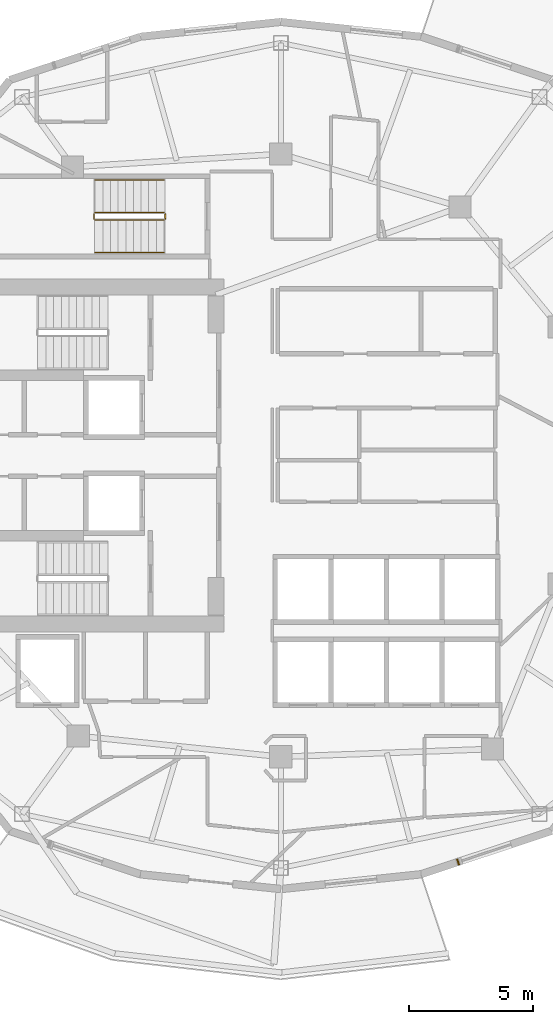
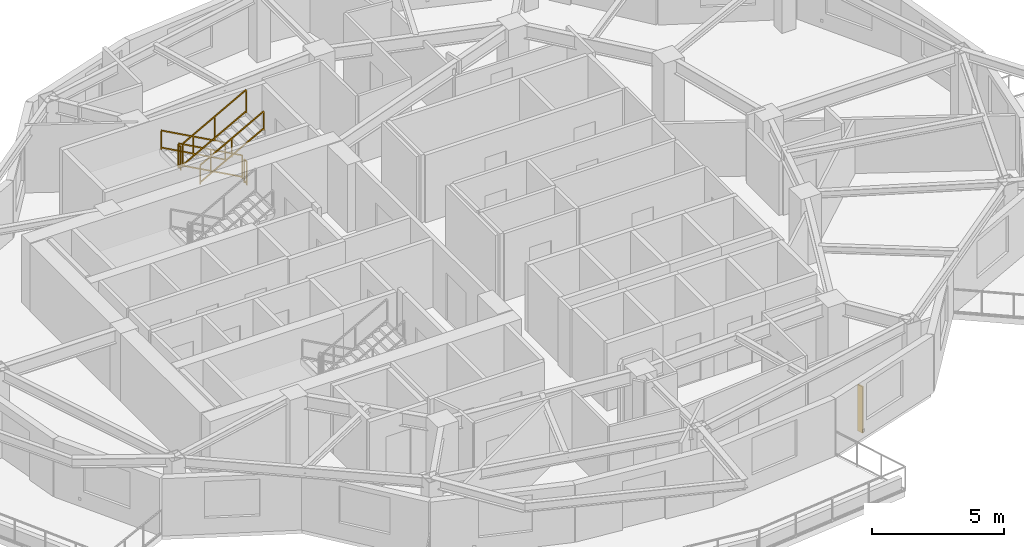
# One storey, part 9 of 11: 6 railings, 1 shading device.
"""IFC4 building model written with IfcOpenShell, lengths in metres."""

from ifc_helpers import new_model, si_unit, direction, frame, origin, origin_2d, place, context, subcontext, project, spatial, rectangle, extrude, material, type_object, element, save


model = new_model("IFC4")

# Units and contexts
model_context = context("Model", 3, precision=1e-05, world=origin(), true_north=direction((0.0, 1.0)))
body_context = subcontext(model_context, "Body", "Model", "MODEL_VIEW")
ifc_project = project(units=[si_unit("LENGTHUNIT", "METRE"), si_unit("AREAUNIT", "SQUARE_METRE"), si_unit("VOLUMEUNIT", "CUBIC_METRE"), si_unit("PLANEANGLEUNIT", "RADIAN"), si_unit("MASSUNIT", "GRAM", prefix="KILO")], contexts=[model_context])

# Site, building, storey
site_placement = place(None, origin())
site = spatial("IfcSite", under=ifc_project, at=site_placement, CompositionType="ELEMENT")
building_placement = place(site_placement, origin())
building = spatial("IfcBuilding", under=site, at=building_placement, Name="Kolvaren Gate Tower and Convention Centre", CompositionType="ELEMENT")
storey_placement = place(building_placement, frame((0.0, 0.0, 159.699951171875)))
storey = spatial("IfcBuildingStorey", under=building, at=storey_placement, Name="L41", CompositionType="ELEMENT", Elevation=159.699951171875)

# Railings
ifc_material_1 = material(Name="Brushed Stainless Steel Grade 316L", Category="steel")
railing_type_1 = type_object("IfcRailingType", Name="ARCH-RL-GUARD-1150", PredefinedType="GUARDRAIL", material=ifc_material_1)
railing_1_placement = place(storey_placement, frame((25.39990234375, 36.830078125, 0.170166015625)))
element("IfcRailing", 1, at=railing_1_placement, inside=storey, type_object=railing_type_1, Name="L41 ST-T3 stair guard 1", PredefinedType="GUARDRAIL", context=body_context, shape_type="SweptSolid", body=[
    extrude(rectangle(XDim=0.048095703125, YDim=0.048095703125, at=origin_2d()), frame((0.0, 0.0, 1.076171875), z_axis=(-0.876825974686, 0.0, 0.480807872353), x_axis=(0.0, -1.0, 0.0)), (0.0, 0.0, 1.0), 3.181640625),
    extrude(rectangle(XDim=0.048095703125, YDim=0.048095703125, at=origin_2d()), frame((0.0, 0.0, 0.083984375), z_axis=(-0.876825974686, 0.0, 0.480807872353), x_axis=(0.0, -1.0, 0.0)), (0.0, 0.0, 1.0), 3.181640625),
    extrude(rectangle(XDim=0.0419921875, YDim=0.0419921875, at=origin_2d()), origin(), (0.0, 0.0, 1.0), 1.050048828125),
    extrude(rectangle(XDim=0.0419921875, YDim=0.0419921875, at=origin_2d()), frame((-2.789794921875, 0.0, 1.52978515625)), (0.0, 0.0, 1.0), 1.050048828125),
    extrude(rectangle(XDim=0.0419921875, YDim=0.0419921875, at=origin_2d()), frame((-1.39501953125, 0.0, 0.764892578125)), (0.0, 0.0, 1.0), 1.050048828125),
])
railing_2_placement = place(storey_placement, frame((22.56005859375, 36.780029296875, 1.699951171875)))
element("IfcRailing", 2, at=railing_2_placement, inside=storey, type_object=railing_type_1, Name="L41 ST-T3 stair guard 2", PredefinedType="GUARDRAIL", context=body_context, shape_type="SweptSolid", body=[
    extrude(rectangle(XDim=0.048095703125, YDim=0.048095703125, at=origin_2d()), frame((0.0, 0.0, 1.076171875), z_axis=(0.0, -1.0, 0.0), x_axis=(1.0, 0.0, 0.0)), (0.0, 0.0, 1.0), 0.199951171875),
    extrude(rectangle(XDim=0.048095703125, YDim=0.048095703125, at=origin_2d()), frame((0.0, 0.0, 0.083984375), z_axis=(0.0, -1.0, 0.0), x_axis=(1.0, 0.0, 0.0)), (0.0, 0.0, 1.0), 0.199951171875),
    extrude(rectangle(XDim=0.0419921875, YDim=0.0419921875, at=origin_2d()), origin(), (0.0, 0.0, 1.0), 1.050048828125),
    extrude(rectangle(XDim=0.0419921875, YDim=0.0419921875, at=origin_2d()), frame((0.0, -0.199951171875, 0.0)), (0.0, 0.0, 1.0), 1.050048828125),
])
railing_3_placement = place(storey_placement, frame((22.610107421875, 36.530029296875, 1.8701171875)))
element("IfcRailing", 3, at=railing_3_placement, inside=storey, type_object=railing_type_1, Name="L41 ST-T3 stair guard 3", PredefinedType="GUARDRAIL", context=body_context, shape_type="SweptSolid", body=[
    extrude(rectangle(XDim=0.048095703125, YDim=0.048095703125, at=origin_2d()), frame((0.0, 0.0, 1.076171875), z_axis=(0.8767936245, 0.0, 0.480866863109), x_axis=(0.0, 1.0, 0.0)), (0.0, 0.0, 1.0), 3.181884765625),
    extrude(rectangle(XDim=0.048095703125, YDim=0.048095703125, at=origin_2d()), frame((0.0, 0.0, 0.083984375), z_axis=(0.8767936245, 0.0, 0.480866863109), x_axis=(0.0, 1.0, 0.0)), (0.0, 0.0, 1.0), 3.181884765625),
    extrude(rectangle(XDim=0.0419921875, YDim=0.0419921875, at=origin_2d()), origin(), (0.0, 0.0, 1.0), 1.050048828125),
    extrude(rectangle(XDim=0.0419921875, YDim=0.0419921875, at=origin_2d()), frame((2.789794921875, 0.0, 1.530029296875)), (0.0, 0.0, 1.0), 1.050048828125),
    extrude(rectangle(XDim=0.0419921875, YDim=0.0419921875, at=origin_2d()), frame((1.39501953125, 0.0, 0.76513671875)), (0.0, 0.0, 1.0), 1.050048828125),
])
railing_4_placement = place(storey_placement, frame((25.449951171875, 36.780029296875, 0.0)))
element("IfcRailing", 4, at=railing_4_placement, inside=storey, type_object=railing_type_1, Name="L41 ST-T3 stair guard 4", PredefinedType="GUARDRAIL", context=body_context, shape_type="SweptSolid", body=[
    extrude(rectangle(XDim=0.048095703125, YDim=0.048095703125, at=origin_2d()), frame((0.0, 0.0, 1.076171875), z_axis=(0.0, -1.0, 0.0), x_axis=(1.0, 0.0, 0.0)), (0.0, 0.0, 1.0), 0.199951171875),
    extrude(rectangle(XDim=0.048095703125, YDim=0.048095703125, at=origin_2d()), frame((0.0, 0.0, 0.083984375), z_axis=(0.0, -1.0, 0.0), x_axis=(1.0, 0.0, 0.0)), (0.0, 0.0, 1.0), 0.199951171875),
    extrude(rectangle(XDim=0.0419921875, YDim=0.0419921875, at=origin_2d()), origin(), (0.0, 0.0, 1.0), 1.050048828125),
    extrude(rectangle(XDim=0.0419921875, YDim=0.0419921875, at=origin_2d()), frame((0.0, -0.199951171875, 0.0)), (0.0, 0.0, 1.0), 1.050048828125),
])
railing_type_2 = type_object("IfcRailingType", Name="ARCH-RL-HANDRAIL-920", PredefinedType="HANDRAIL", material=ifc_material_1)
railing_5_placement = place(storey_placement, frame((25.39990234375, 38.14990234375, 0.170166015625)))
element("IfcRailing", 5, at=railing_5_placement, inside=storey, type_object=railing_type_2, Name="L41 ST-T3 stair handrail 1", PredefinedType="HANDRAIL", context=body_context, shape_type="SweptSolid", body=[
    extrude(rectangle(XDim=0.048095703125, YDim=0.048095703125, at=origin_2d()), frame((0.0, 0.0, 0.8759765625), z_axis=(-0.876825974686, 0.0, 0.480807872353), x_axis=(0.0, -1.0, 0.0)), (0.0, 0.0, 1.0), 3.181640625),
    extrude(rectangle(XDim=0.048095703125, YDim=0.048095703125, at=origin_2d()), frame((0.0, 0.0, 0.083984375), z_axis=(-0.876825974686, 0.0, 0.480807872353), x_axis=(0.0, -1.0, 0.0)), (0.0, 0.0, 1.0), 3.181640625),
    extrude(rectangle(XDim=0.0419921875, YDim=0.0419921875, at=origin_2d()), origin(), (0.0, 0.0, 1.0), 0.849853515625),
    extrude(rectangle(XDim=0.0419921875, YDim=0.0419921875, at=origin_2d()), frame((-2.789794921875, 0.0, 1.52978515625)), (0.0, 0.0, 1.0), 0.849853515625),
    extrude(rectangle(XDim=0.0419921875, YDim=0.0419921875, at=origin_2d()), frame((-1.39501953125, 0.0, 0.764892578125)), (0.0, 0.0, 1.0), 0.849853515625),
])
railing_6_placement = place(storey_placement, frame((22.610107421875, 35.2099609375, 1.8701171875)))
element("IfcRailing", 6, at=railing_6_placement, inside=storey, type_object=railing_type_2, Name="L41 ST-T3 stair handrail 2", PredefinedType="HANDRAIL", context=body_context, shape_type="SweptSolid", body=[
    extrude(rectangle(XDim=0.048095703125, YDim=0.048095703125, at=origin_2d()), frame((0.0, 0.0, 0.8759765625), z_axis=(0.8767936245, 0.0, 0.480866863109), x_axis=(0.0, 1.0, 0.0)), (0.0, 0.0, 1.0), 3.181884765625),
    extrude(rectangle(XDim=0.048095703125, YDim=0.048095703125, at=origin_2d()), frame((0.0, 0.0, 0.083984375), z_axis=(0.8767936245, 0.0, 0.480866863109), x_axis=(0.0, 1.0, 0.0)), (0.0, 0.0, 1.0), 3.181884765625),
    extrude(rectangle(XDim=0.0419921875, YDim=0.0419921875, at=origin_2d()), origin(), (0.0, 0.0, 1.0), 0.849853515625),
    extrude(rectangle(XDim=0.0419921875, YDim=0.0419921875, at=origin_2d()), frame((2.789794921875, 0.0, 1.530029296875)), (0.0, 0.0, 1.0), 0.849853515625),
    extrude(rectangle(XDim=0.0419921875, YDim=0.0419921875, at=origin_2d()), frame((1.39501953125, 0.0, 0.76513671875)), (0.0, 0.0, 1.0), 0.849853515625),
])

# Shading device
ifc_material_2 = material(Name="Kiln-Fired Bogota Terracotta Ceramic Louvre Profile", Category="masonry")
shading_device_type = type_object("IfcShadingDeviceType", Name="ARCH-SHD-FIN-180", PredefinedType="JALOUSIE", material=ifc_material_2)
shading_device_placement = place(storey_placement, frame((37.2998046875, 10.544189453125, 0.22021484375), z_axis=(0.0, 0.0, 1.0), x_axis=(0.949239532616, 0.314554144335, 0.0)))
element("IfcShadingDevice", 7, at=shading_device_placement, inside=storey, type_object=shading_device_type, Name="Ceramic Vertical Brise-Soleil Fin FN-L41-19", PredefinedType="JALOUSIE", context=body_context, shape_type="SweptSolid", body=[
    extrude(rectangle(XDim=0.06005859375, YDim=0.239990234375, at=origin_2d()), origin(), (0.0, 0.0, 1.0), 2.14990234375),
])

save(model, "model.ifc")
